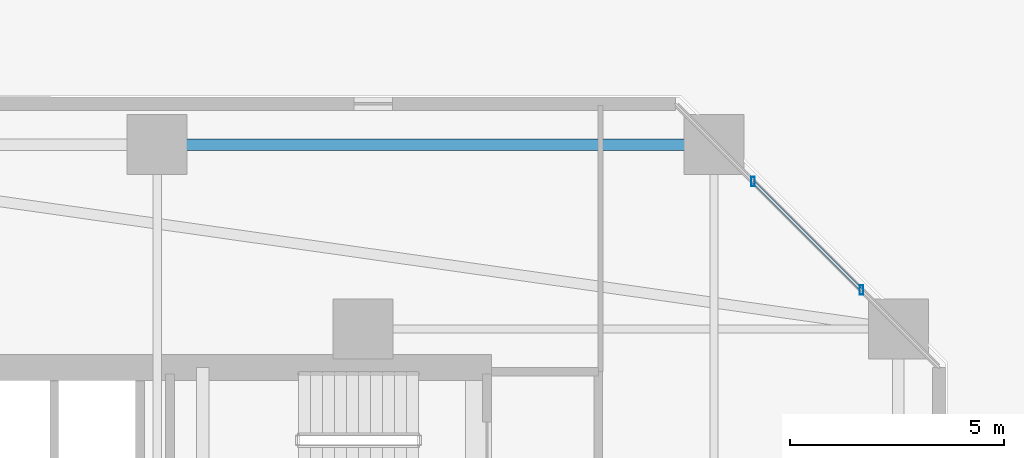
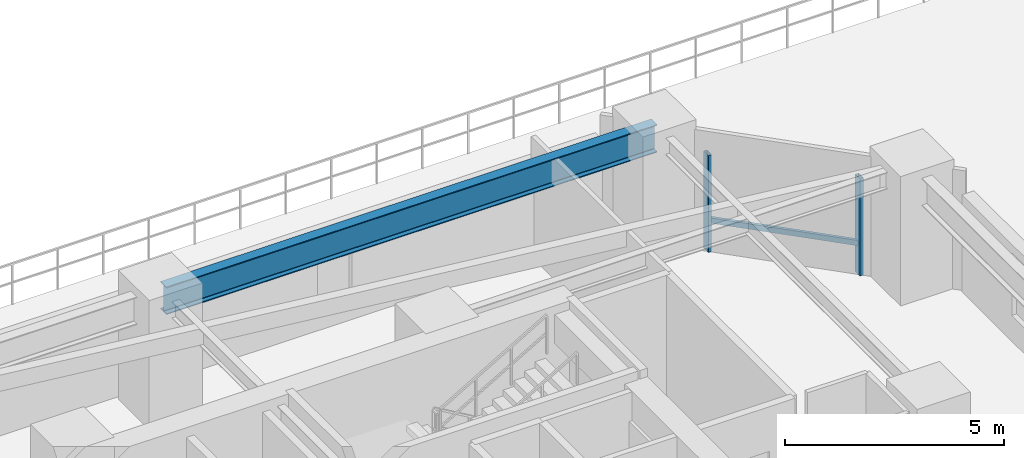
# One storey, part 9 of 34: 3 members, 1 beam, 1 element without a shape of its own.
"""IFC4 building model written with IfcOpenShell, lengths in metres."""

from ifc_helpers import new_model, si_unit, direction, frame, origin, origin_2d, place, context, subcontext, project, spatial, hollow_rectangle, i_section, extrude, material, material_profile, profile_set, type_object, element, aggregate, save


model = new_model("IFC4")

# Units and contexts
model_context = context("Model", 3, precision=1e-05, world=origin(), true_north=direction((0.0, 1.0)))
body_context = subcontext(model_context, "Body", "Model", "MODEL_VIEW")
ifc_project = project(units=[si_unit("LENGTHUNIT", "METRE"), si_unit("AREAUNIT", "SQUARE_METRE"), si_unit("VOLUMEUNIT", "CUBIC_METRE"), si_unit("PLANEANGLEUNIT", "RADIAN"), si_unit("MASSUNIT", "GRAM", prefix="KILO")], contexts=[model_context])

# Site, building, storey
site_placement = place(None, origin())
site = spatial("IfcSite", under=ifc_project, at=site_placement, CompositionType="ELEMENT")
building_placement = place(site_placement, origin())
building = spatial("IfcBuilding", under=site, at=building_placement, Name="Thornwick Lancets Civic Towers", CompositionType="ELEMENT")
storey_placement = place(building_placement, frame((0.0, 0.0, 27.89990234375)))
storey = spatial("IfcBuildingStorey", under=building, at=storey_placement, Name="L06", CompositionType="ELEMENT", Elevation=27.89990234375)

# Beam
ifc_material_1 = material(Name="Steel S355JR", Category="steel")
ifc_material_profile_1 = material_profile(ifc_material_1, i_section(OverallWidth=0.26806640625, OverallDepth=0.769775390625, WebThickness=0.015625, FlangeThickness=0.025390625, FilletRadius=0.0166015625, at=origin_2d()), Name="UKB 762x267x197")
ifc_profile_set_1 = profile_set([ifc_material_profile_1], Name="Steel S355JR")
beam_type = type_object("IfcBeamType", Name="BM_GIRD_762_197", PredefinedType="BEAM", material=ifc_profile_set_1)
beam_placement = place(storey_placement, frame((25.580078125, 44.300048828125, 2.97509765625), z_axis=(1.0, 0.0, 0.0), x_axis=(0.0, 1.0, 0.0)))
element("IfcBeam", 1, at=beam_placement, inside=storey, type_object=beam_type, Name="BM-SPINE-L06-A-7-8", PredefinedType="BEAM", context=body_context, shape_type="SweptSolid", body=[
    extrude(i_section(OverallWidth=0.26806640625, OverallDepth=0.769775390625, WebThickness=0.015625, FlangeThickness=0.025390625, FilletRadius=0.0166015625, at=origin_2d()), origin(), (0.0, 0.0, 1.0), 12.919921875),
])

# Curtain wall, members
ifc_material_2 = material(Name="Low-zone chamfered-corner unitised glass curtain wall", Category="glass")
curtain_wall_type = type_object("IfcCurtainWallType", Name="CW_SYS_03", PredefinedType="NOTDEFINED", material=ifc_material_2)
curtain_wall_placement = place(storey_placement, origin())
curtain_wall = element("IfcCurtainWall", 2, at=curtain_wall_placement, inside=storey, type_object=curtain_wall_type, Name="L06 Curtain Wall CW-L06-A-E3", PredefinedType="NOTDEFINED")
ifc_material_3 = material(Name="Thermally broken bronze aluminium S355", Category="steel")
ifc_material_profile_2 = material_profile(ifc_material_3, hollow_rectangle(XDim=0.090087890625, YDim=0.219970703125, WallThickness=0.00634765625, at=origin_2d()), Name="RHS 220x90x6.3")
ifc_profile_set_2 = profile_set([ifc_material_profile_2], Name="Thermally broken bronze aluminium S355")
member_type_1 = type_object("IfcMemberType", Name="CW_MUL_220", PredefinedType="MULLION", material=ifc_profile_set_2)
member_1_placement = place(storey_placement, frame((41.940673828125, 40.908447265625, 0.0), z_axis=(0.0, 0.0, 1.0), x_axis=(1.0, 0.0, 0.0)))
member_1 = element("IfcMember", 3, at=member_1_placement, type_object=member_type_1, Name="CW-L06-A-E3 Mullion 0", PredefinedType="MULLION", context=body_context, shape_type="SweptSolid", body=[
    extrude(hollow_rectangle(XDim=0.090087890625, YDim=0.219970703125, WallThickness=0.00634765625, at=origin_2d()), origin(), (0.0, 0.0, 1.0), 2.7001953125),
])
member_2_placement = place(storey_placement, frame((39.408447265625, 43.440673828125, 0.0), z_axis=(0.0, 0.0, 1.0), x_axis=(1.0, 0.0, 0.0)))
member_2 = element("IfcMember", 4, at=member_2_placement, type_object=member_type_1, Name="CW-L06-A-E3 Mullion 1", PredefinedType="MULLION", context=body_context, shape_type="SweptSolid", body=[
    extrude(hollow_rectangle(XDim=0.090087890625, YDim=0.219970703125, WallThickness=0.00634765625, at=origin_2d()), origin(), (0.0, 0.0, 1.0), 2.7001953125),
])
ifc_material_profile_3 = material_profile(ifc_material_3, hollow_rectangle(XDim=0.074951171875, YDim=0.14990234375, WallThickness=0.0048828125, at=origin_2d()), Name="RHS 150x75x5")
ifc_profile_set_3 = profile_set([ifc_material_profile_3], Name="Thermally broken bronze aluminium S355")
member_type_2 = type_object("IfcMemberType", Name="CW_TRN_150", PredefinedType="USERDEFINED", material=ifc_profile_set_3)
member_3_placement = place(storey_placement, frame((41.926513671875, 40.922607421875, 0.85009765625), z_axis=(-0.707106781187, 0.707106781187, 0.0), x_axis=(-0.707106781187, -0.707106781187, 0.0)))
member_3 = element("IfcMember", 5, at=member_3_placement, type_object=member_type_2, Name="CW-L06-A-E3 Transom 0", ObjectType="TRANSOM", PredefinedType="USERDEFINED", context=body_context, shape_type="SweptSolid", body=[
    extrude(hollow_rectangle(XDim=0.074951171875, YDim=0.14990234375, WallThickness=0.0048828125, at=origin_2d()), origin(), (0.0, 0.0, 1.0), 3.541015625),
])
aggregate(curtain_wall, [member_1, member_2, member_3])

save(model, "model.ifc")
